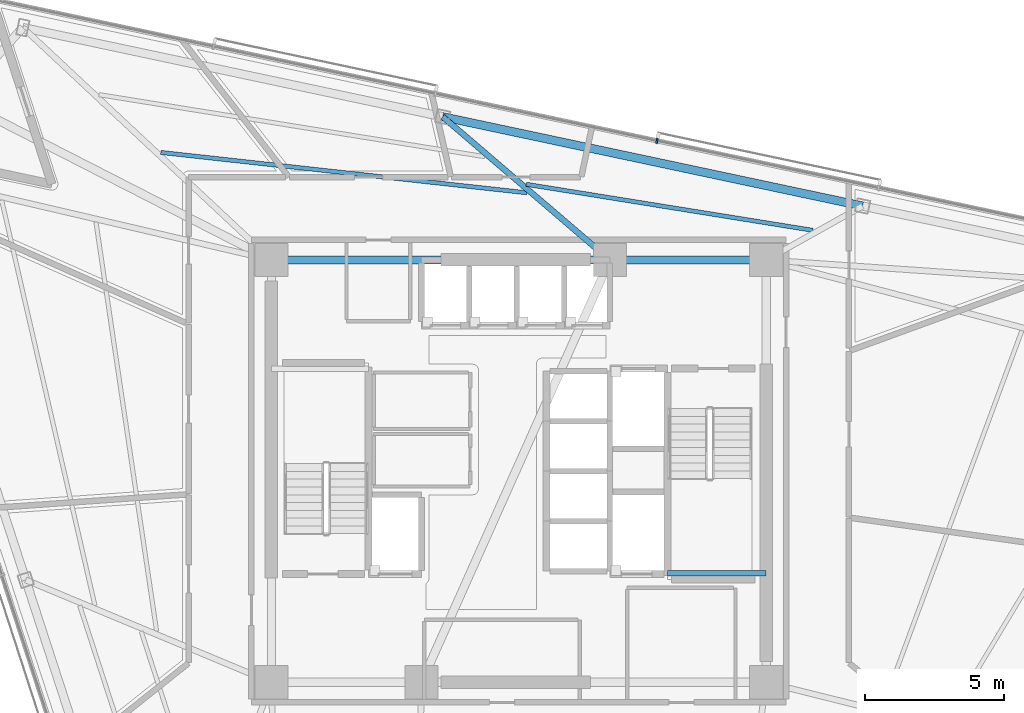
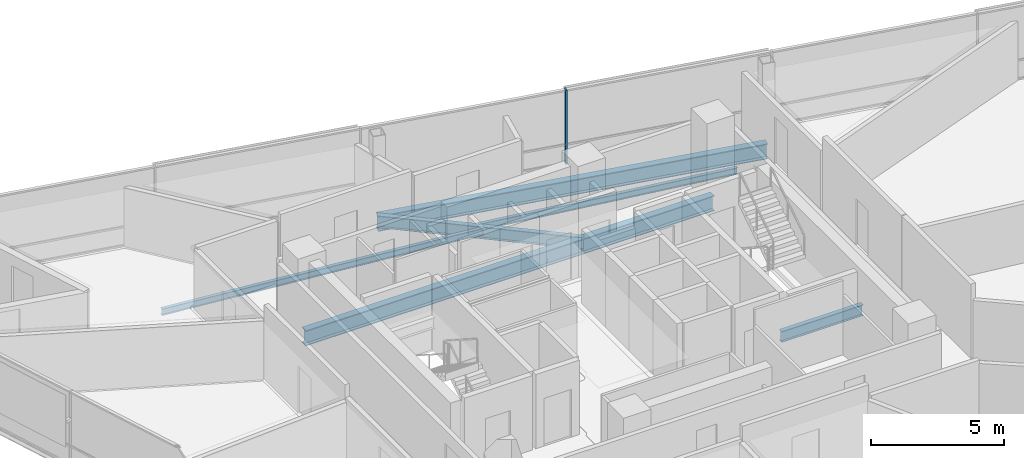
# One storey, part 6 of 17: 7 beams, 1 member, 1 element without a shape of its own.
"""IFC4 building model written with IfcOpenShell, lengths in metres."""

from ifc_helpers import new_model, si_unit, direction, frame, origin, origin_2d, place, context, subcontext, project, spatial, rectangle, i_section, extrude, material, layer, layer_set, material_profile, profile_set, type_object, element, aggregate, save


model = new_model("IFC4")

# Units and contexts
model_context = context("Model", 3, precision=1e-05, world=origin(), true_north=direction((0.0, 1.0)))
body_context = subcontext(model_context, "Body", "Model", "MODEL_VIEW")
ifc_project = project(units=[si_unit("LENGTHUNIT", "METRE"), si_unit("AREAUNIT", "SQUARE_METRE"), si_unit("VOLUMEUNIT", "CUBIC_METRE"), si_unit("PLANEANGLEUNIT", "RADIAN"), si_unit("MASSUNIT", "GRAM", prefix="KILO")], contexts=[model_context])

# Site, building, storey
site_placement = place(None, origin())
site = spatial("IfcSite", under=ifc_project, at=site_placement, CompositionType="ELEMENT")
building_placement = place(site_placement, origin())
building = spatial("IfcBuilding", under=site, at=building_placement, Name="Tharavind Bronze Gate", CompositionType="ELEMENT")
storey_placement = place(building_placement, frame((0.0, 0.0, 214.85009765625)))
storey = spatial("IfcBuildingStorey", under=building, at=storey_placement, Name="L55", CompositionType="ELEMENT", Elevation=214.85009765625)

# Curtain wall, member
ifc_material_1 = material(Name="Anodised Bronze Aluminium", Category="aluminium")
ifc_layer = layer(ifc_material_1, 0.219970703125)
ifc_layer_set = layer_set([ifc_layer], Name="Anodised Bronze Aluminium")
curtain_wall_type = type_object("IfcCurtainWallType", Name="UNITISED CURTAIN WALL MID OFFICE", PredefinedType="USERDEFINED", material=ifc_layer_set)
curtain_wall_placement = place(storey_placement, origin())
curtain_wall = element("IfcCurtainWall", 1, at=curtain_wall_placement, inside=storey, type_object=curtain_wall_type, Name="L55 unitised curtain wall mid office CW-L55-S3", ObjectType="UNITISED CURTAIN WALL", PredefinedType="USERDEFINED")
member_type = type_object("IfcMemberType", Name="CURTAIN WALL BRONZE MULLION 65X180", PredefinedType="MULLION", material=ifc_material_1)
member_placement = place(storey_placement, frame((4.97265625, 11.880615234375, 0.0), z_axis=(0.0, 0.0, 1.0), x_axis=(-0.978147600734, 0.207911690818, 0.0)))
member = element("IfcMember", 2, at=member_placement, type_object=member_type, Name="CW-L55-S3 mullion 4", PredefinedType="MULLION", context=body_context, shape_type="SweptSolid", body=[
    extrude(rectangle(XDim=0.06494140625, YDim=0.179931640625, at=origin_2d()), origin(), (0.0, 0.0, 1.0), 3.419921875),
])
aggregate(curtain_wall, [member])

# Beams
ifc_material_2 = material(Name="Steel S355", Category="steel")
ifc_material_profile_1 = material_profile(ifc_material_2, i_section(OverallWidth=0.199951171875, OverallDepth=0.5, WebThickness=0.01025390625, FlangeThickness=0.01611328125, at=origin_2d()), Name="IPE500")
ifc_profile_set_1 = profile_set([ifc_material_profile_1], Name="Steel S355")
beam_type_1 = type_object("IfcBeamType", Name="PRIMARY GIRDER IPE500", PredefinedType="USERDEFINED", material=ifc_profile_set_1)
beam_1_placement = place(storey_placement, frame((5.35009765625, -3.679931640625, 1.349853515625), z_axis=(1.0, 0.0, 0.0), x_axis=(0.0, 1.0, 0.0)))
element("IfcBeam", 3, at=beam_1_placement, inside=storey, type_object=beam_type_1, Name="L55 primary girder ipe500 BM-LD-ST2-L55-1", ObjectType="GIRDER", PredefinedType="USERDEFINED", context=body_context, shape_type="SweptSolid", body=[
    extrude(i_section(OverallWidth=0.199951171875, OverallDepth=0.5, WebThickness=0.01025390625, FlangeThickness=0.01611328125, at=origin_2d()), origin(), (0.0, 0.0, 1.0), 3.5498046875),
])
ifc_material_profile_2 = material_profile(ifc_material_2, i_section(OverallWidth=0.2099609375, OverallDepth=0.550048828125, WebThickness=0.010986328125, FlangeThickness=0.01708984375, at=origin_2d()), Name="IPE550")
ifc_profile_set_2 = profile_set([ifc_material_profile_2], Name="Steel S355")
beam_type_2 = type_object("IfcBeamType", Name="PRIMARY GIRDER IPE550", PredefinedType="USERDEFINED", material=ifc_profile_set_2)
beam_2_placement = place(storey_placement, frame((-2.737060546875, 12.752685546875, -0.455078125), z_axis=(0.75956325699, -0.650433439048, 0.0), x_axis=(0.650433439048, 0.75956325699, 0.0)))
element("IfcBeam", 4, at=beam_2_placement, inside=storey, type_object=beam_type_2, Name="L55 primary girder ipe550 BM-L55-RAD11", ObjectType="GIRDER", PredefinedType="USERDEFINED", context=body_context, shape_type="SweptSolid", body=[
    extrude(i_section(OverallWidth=0.2099609375, OverallDepth=0.550048828125, WebThickness=0.010986328125, FlangeThickness=0.01708984375, at=origin_2d()), origin(), (0.0, 0.0, 1.0), 7.921875),
])
ifc_material_profile_3 = material_profile(ifc_material_2, i_section(OverallWidth=0.300048828125, OverallDepth=0.699951171875, WebThickness=0.01708984375, FlangeThickness=0.031982421875, at=origin_2d()), Name="HE700B")
ifc_profile_set_3 = profile_set([ifc_material_profile_3], Name="Steel S355")
beam_type_3 = type_object("IfcBeamType", Name="RING GIRDER HE700B", PredefinedType="USERDEFINED", material=ifc_profile_set_3)
beam_3_placement = place(storey_placement, frame((8.89990234375, 7.60009765625, -0.530029296875), z_axis=(-1.0, 0.0, 0.0), x_axis=(0.0, -1.0, 0.0)))
element("IfcBeam", 5, at=beam_3_placement, inside=storey, type_object=beam_type_3, Name="L55 ring girder he700b BM-L55-CR4", ObjectType="GIRDER", PredefinedType="USERDEFINED", context=body_context, shape_type="SweptSolid", body=[
    extrude(i_section(OverallWidth=0.300048828125, OverallDepth=0.699951171875, WebThickness=0.01708984375, FlangeThickness=0.031982421875, at=origin_2d()), origin(), (0.0, 0.0, 1.0), 5.619873046875),
])
beam_4_placement = place(storey_placement, frame((3.280029296875, 7.60009765625, -0.530029296875), z_axis=(-1.0, 0.0, 0.0), x_axis=(0.0, -1.0, 0.0)))
element("IfcBeam", 6, at=beam_4_placement, inside=storey, type_object=beam_type_3, Name="L55 ring girder he700b BM-L55-CR5", ObjectType="GIRDER", PredefinedType="USERDEFINED", context=body_context, shape_type="SweptSolid", body=[
    extrude(i_section(OverallWidth=0.300048828125, OverallDepth=0.699951171875, WebThickness=0.01708984375, FlangeThickness=0.031982421875, at=origin_2d()), origin(), (0.0, 0.0, 1.0), 12.179931640625),
])
beam_5_placement = place(storey_placement, frame((12.370849609375, 9.54150390625, -0.530029296875), z_axis=(-0.978148967388, 0.207905261111, 0.0), x_axis=(-0.207905261111, -0.978148967388, 0.0)))
element("IfcBeam", 7, at=beam_5_placement, inside=storey, type_object=beam_type_3, Name="L55 ring girder he700b BM-L55-PRG10", ObjectType="GIRDER", PredefinedType="USERDEFINED", context=body_context, shape_type="SweptSolid", body=[
    extrude(i_section(OverallWidth=0.300048828125, OverallDepth=0.699951171875, WebThickness=0.01708984375, FlangeThickness=0.031982421875, at=origin_2d()), origin(), (0.0, 0.0, 1.0), 15.4453125),
])
ifc_material_profile_4 = material_profile(ifc_material_2, i_section(OverallWidth=0.14990234375, OverallDepth=0.300048828125, WebThickness=0.007080078125, FlangeThickness=0.0107421875, at=origin_2d()), Name="IPE300")
ifc_profile_set_4 = profile_set([ifc_material_profile_4], Name="Steel S355")
beam_type_4 = type_object("IfcBeamType", Name="SECONDARY FLOOR JOIST IPE300", PredefinedType="JOIST", material=ifc_profile_set_4)
beam_6_placement = place(storey_placement, frame((10.585693359375, 8.666015625, -0.330078125), z_axis=(-0.987341344636, 0.158609801627, 0.0), x_axis=(-0.158609801627, -0.987341344636, 0.0)))
element("IfcBeam", 8, at=beam_6_placement, inside=storey, type_object=beam_type_4, Name="L55 secondary floor joist ipe300 BM-L55-JSTA10", PredefinedType="JOIST", context=body_context, shape_type="SweptSolid", body=[
    extrude(i_section(OverallWidth=0.14990234375, OverallDepth=0.300048828125, WebThickness=0.007080078125, FlangeThickness=0.0107421875, at=origin_2d()), origin(), (0.0, 0.0, 1.0), 10.45458984375),
])
beam_7_placement = place(storey_placement, frame((0.292724609375, 10.016845703125, -0.330078125), z_axis=(-0.993975491992, 0.109602560737, 0.0), x_axis=(-0.109602560737, -0.993975491992, 0.0)))
element("IfcBeam", 9, at=beam_7_placement, inside=storey, type_object=beam_type_4, Name="L55 secondary floor joist ipe300 BM-L55-JSTA11", PredefinedType="JOIST", context=body_context, shape_type="SweptSolid", body=[
    extrude(i_section(OverallWidth=0.14990234375, OverallDepth=0.300048828125, WebThickness=0.007080078125, FlangeThickness=0.0107421875, at=origin_2d()), origin(), (0.0, 0.0, 1.0), 13.253662109375),
])

save(model, "model.ifc")
